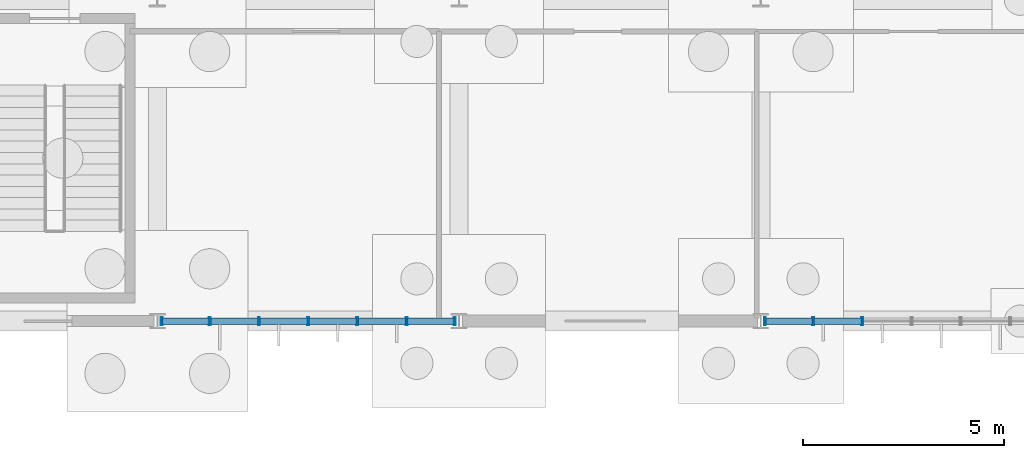
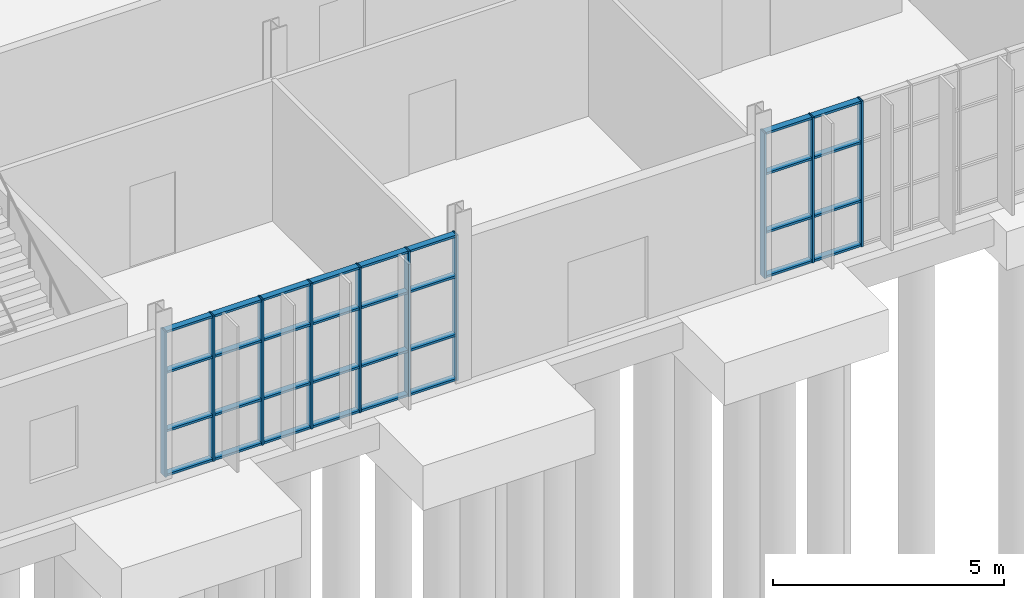
# One storey, part 31 of 136: 42 members, 2 elements without a shape of their own.
"""IFC4 building model written with IfcOpenShell, lengths in metres."""

from ifc_helpers import new_model, si_unit, direction, frame, origin, origin_2d, place, context, subcontext, project, spatial, hollow_rectangle, extrude, material, layer, layer_set, material_profile, profile_set, type_object, element, aggregate, save


model = new_model("IFC4")

# Units and contexts
model_context = context("Model", 3, precision=1e-05, world=origin(), true_north=direction((0.0, 1.0)))
body_context = subcontext(model_context, "Body", "Model", "MODEL_VIEW")
ifc_project = project(units=[si_unit("LENGTHUNIT", "METRE"), si_unit("AREAUNIT", "SQUARE_METRE"), si_unit("VOLUMEUNIT", "CUBIC_METRE"), si_unit("PLANEANGLEUNIT", "RADIAN"), si_unit("MASSUNIT", "GRAM", prefix="KILO")], contexts=[model_context])

# Site, building, storey
site_placement = place(None, origin())
site = spatial("IfcSite", under=ifc_project, at=site_placement, CompositionType="ELEMENT")
building_placement = place(site_placement, origin())
building = spatial("IfcBuilding", under=site, at=building_placement, Name="Solvenia Promenade Tram Depot", CompositionType="ELEMENT")
storey_placement = place(building_placement, origin())
storey = spatial("IfcBuildingStorey", under=building, at=storey_placement, Name="L00", CompositionType="ELEMENT", Elevation=0.0)

# Curtain wall, members
ifc_material = material(Name="Anodized aluminium AW-6063 T6", Category="aluminium")
ifc_layer = layer(ifc_material, 0.179931640625, Name="Anodized aluminium AW-6063 T6", Category="aluminium")
ifc_layer_set = layer_set([ifc_layer], Name="Anodized aluminium AW-6063 T6")
curtain_wall_type = type_object("IfcCurtainWallType", Name="CW-Solar-1250", PredefinedType="NOTDEFINED", material=ifc_layer_set)
curtain_wall_1_placement = place(storey_placement, origin())
curtain_wall_1 = element("IfcCurtainWall", 1, at=curtain_wall_1_placement, inside=storey, type_object=curtain_wall_type, Name="Curtain Wall CW-V4S-L00-05", PredefinedType="NOTDEFINED")
ifc_material_profile_1 = material_profile(ifc_material, hollow_rectangle(XDim=0.199951171875, YDim=0.048095703125, WallThickness=0.00390625, at=origin_2d()), Name="ALU-M3", Category="aluminium")
ifc_profile_set_1 = profile_set([ifc_material_profile_1], Name="Anodized aluminium AW-6063 T6")
member_type_1 = type_object("IfcMemberType", Name="CWM-Mullion-3", PredefinedType="MULLION", material=ifc_profile_set_1)
member_1_placement = place(storey_placement, frame((37.60400390625, 0.0, 0.0), z_axis=(0.0, 0.0, 1.0), x_axis=(0.0, 1.0, 0.0)))
member_1 = element("IfcMember", 2, at=member_1_placement, type_object=member_type_1, Name="CW-6 mullion 1", PredefinedType="MULLION", context=body_context, shape_type="SweptSolid", body=[
    extrude(hollow_rectangle(XDim=0.199951171875, YDim=0.048095703125, WallThickness=0.00390625, at=origin_2d()), origin(), (0.0, 0.0, 1.0), 3.85009765625),
])
member_2_placement = place(storey_placement, frame((38.80322265625, 0.0, 0.0), z_axis=(0.0, 0.0, 1.0), x_axis=(0.0, 1.0, 0.0)))
member_2 = element("IfcMember", 3, at=member_2_placement, type_object=member_type_1, Name="CW-6 mullion 2", PredefinedType="MULLION", context=body_context, shape_type="SweptSolid", body=[
    extrude(hollow_rectangle(XDim=0.199951171875, YDim=0.048095703125, WallThickness=0.00390625, at=origin_2d()), origin(), (0.0, 0.0, 1.0), 3.85009765625),
])
member_3_placement = place(storey_placement, frame((40.026611328125, 0.0, 0.0), z_axis=(0.0, 0.0, 1.0), x_axis=(0.0, 1.0, 0.0)))
member_3 = element("IfcMember", 4, at=member_3_placement, type_object=member_type_1, Name="CW-6 mullion 3", PredefinedType="MULLION", context=body_context, shape_type="SweptSolid", body=[
    extrude(hollow_rectangle(XDim=0.199951171875, YDim=0.048095703125, WallThickness=0.00390625, at=origin_2d()), origin(), (0.0, 0.0, 1.0), 3.85009765625),
])
member_4_placement = place(storey_placement, frame((41.25, 0.0, 0.0), z_axis=(0.0, 0.0, 1.0), x_axis=(0.0, 1.0, 0.0)))
member_4 = element("IfcMember", 5, at=member_4_placement, type_object=member_type_1, Name="CW-6 mullion 4", PredefinedType="MULLION", context=body_context, shape_type="SweptSolid", body=[
    extrude(hollow_rectangle(XDim=0.199951171875, YDim=0.048095703125, WallThickness=0.00390625, at=origin_2d()), origin(), (0.0, 0.0, 1.0), 3.85009765625),
])
member_5_placement = place(storey_placement, frame((42.473388671875, 0.0, 0.0), z_axis=(0.0, 0.0, 1.0), x_axis=(0.0, 1.0, 0.0)))
member_5 = element("IfcMember", 6, at=member_5_placement, type_object=member_type_1, Name="CW-6 mullion 5", PredefinedType="MULLION", context=body_context, shape_type="SweptSolid", body=[
    extrude(hollow_rectangle(XDim=0.199951171875, YDim=0.048095703125, WallThickness=0.00390625, at=origin_2d()), origin(), (0.0, 0.0, 1.0), 3.85009765625),
])
member_6_placement = place(storey_placement, frame((43.69677734375, 0.0, 0.0), z_axis=(0.0, 0.0, 1.0), x_axis=(0.0, 1.0, 0.0)))
member_6 = element("IfcMember", 7, at=member_6_placement, type_object=member_type_1, Name="CW-6 mullion 6", PredefinedType="MULLION", context=body_context, shape_type="SweptSolid", body=[
    extrude(hollow_rectangle(XDim=0.199951171875, YDim=0.048095703125, WallThickness=0.00390625, at=origin_2d()), origin(), (0.0, 0.0, 1.0), 3.85009765625),
])
member_7_placement = place(storey_placement, frame((44.89599609375, 0.0, 0.0), z_axis=(0.0, 0.0, 1.0), x_axis=(0.0, 1.0, 0.0)))
member_7 = element("IfcMember", 8, at=member_7_placement, type_object=member_type_1, Name="CW-6 mullion 7", PredefinedType="MULLION", context=body_context, shape_type="SweptSolid", body=[
    extrude(hollow_rectangle(XDim=0.199951171875, YDim=0.048095703125, WallThickness=0.00390625, at=origin_2d()), origin(), (0.0, 0.0, 1.0), 3.85009765625),
])

curtain_wall_2_placement = place(storey_placement, origin())
curtain_wall_2 = element("IfcCurtainWall", 9, at=curtain_wall_2_placement, inside=storey, type_object=curtain_wall_type, Name="Curtain Wall CW-V4S-L00-07", PredefinedType="NOTDEFINED")
member_8_placement = place(storey_placement, frame((52.60400390625, 0.0, 0.0), z_axis=(0.0, 0.0, 1.0), x_axis=(0.0, 1.0, 0.0)))
member_8 = element("IfcMember", 10, at=member_8_placement, type_object=member_type_1, Name="CW-6 mullion 1", PredefinedType="MULLION", context=body_context, shape_type="SweptSolid", body=[
    extrude(hollow_rectangle(XDim=0.199951171875, YDim=0.048095703125, WallThickness=0.00390625, at=origin_2d()), origin(), (0.0, 0.0, 1.0), 3.85009765625),
])
member_9_placement = place(storey_placement, frame((53.80322265625, 0.0, 0.0), z_axis=(0.0, 0.0, 1.0), x_axis=(0.0, 1.0, 0.0)))
member_9 = element("IfcMember", 11, at=member_9_placement, type_object=member_type_1, Name="CW-6 mullion 2", PredefinedType="MULLION", context=body_context, shape_type="SweptSolid", body=[
    extrude(hollow_rectangle(XDim=0.199951171875, YDim=0.048095703125, WallThickness=0.00390625, at=origin_2d()), origin(), (0.0, 0.0, 1.0), 3.85009765625),
])
member_10_placement = place(storey_placement, frame((55.026611328125, 0.0, 0.0), z_axis=(0.0, 0.0, 1.0), x_axis=(0.0, 1.0, 0.0)))
member_10 = element("IfcMember", 12, at=member_10_placement, type_object=member_type_1, Name="CW-6 mullion 3", PredefinedType="MULLION", context=body_context, shape_type="SweptSolid", body=[
    extrude(hollow_rectangle(XDim=0.199951171875, YDim=0.048095703125, WallThickness=0.00390625, at=origin_2d()), origin(), (0.0, 0.0, 1.0), 3.85009765625),
])

# Member
ifc_material_profile_2 = material_profile(ifc_material, hollow_rectangle(XDim=0.159912109375, YDim=0.05810546875, WallThickness=0.00390625, at=origin_2d()), Name="ALU-T3", Category="aluminium")
ifc_profile_set_2 = profile_set([ifc_material_profile_2], Name="Anodized aluminium AW-6063 T6")
member_type_2 = type_object("IfcMemberType", Name="CWT-Transom-3", PredefinedType="USERDEFINED", material=ifc_profile_set_2)
member_11_placement = place(storey_placement, frame((37.6279296875, 0.0, 0.029052734375), z_axis=(1.0, 0.0, 0.0), x_axis=(0.0, 1.0, 0.0)))
member_11 = element("IfcMember", 13, at=member_11_placement, type_object=member_type_2, Name="CW-6 transom 1.1", ObjectType="TRANSOM", PredefinedType="USERDEFINED", context=body_context, shape_type="SweptSolid", body=[
    extrude(hollow_rectangle(XDim=0.159912109375, YDim=0.05810546875, WallThickness=0.00390625, at=origin_2d()), origin(), (0.0, 0.0, 1.0), 1.1513671875),
])

member_12_placement = place(storey_placement, frame((37.6279296875, 0.0, 1.199951171875), z_axis=(1.0, 0.0, 0.0), x_axis=(0.0, 1.0, 0.0)))
member_12 = element("IfcMember", 14, at=member_12_placement, type_object=member_type_2, Name="CW-6 transom 1.2", ObjectType="TRANSOM", PredefinedType="USERDEFINED", context=body_context, shape_type="SweptSolid", body=[
    extrude(hollow_rectangle(XDim=0.159912109375, YDim=0.05810546875, WallThickness=0.00390625, at=origin_2d()), origin(), (0.0, 0.0, 1.0), 1.1513671875),
])

member_13_placement = place(storey_placement, frame((37.6279296875, 0.0, 2.75), z_axis=(1.0, 0.0, 0.0), x_axis=(0.0, 1.0, 0.0)))
member_13 = element("IfcMember", 15, at=member_13_placement, type_object=member_type_2, Name="CW-6 transom 1.3", ObjectType="TRANSOM", PredefinedType="USERDEFINED", context=body_context, shape_type="SweptSolid", body=[
    extrude(hollow_rectangle(XDim=0.159912109375, YDim=0.05810546875, WallThickness=0.00390625, at=origin_2d()), origin(), (0.0, 0.0, 1.0), 1.1513671875),
])

member_14_placement = place(storey_placement, frame((37.6279296875, 0.0, 3.821044921875), z_axis=(1.0, 0.0, 0.0), x_axis=(0.0, 1.0, 0.0)))
member_14 = element("IfcMember", 16, at=member_14_placement, type_object=member_type_2, Name="CW-6 transom 1.4", ObjectType="TRANSOM", PredefinedType="USERDEFINED", context=body_context, shape_type="SweptSolid", body=[
    extrude(hollow_rectangle(XDim=0.159912109375, YDim=0.05810546875, WallThickness=0.00390625, at=origin_2d()), origin(), (0.0, 0.0, 1.0), 1.1513671875),
])

member_15_placement = place(storey_placement, frame((38.827392578125, 0.0, 0.029052734375), z_axis=(1.0, 0.0, 0.0), x_axis=(0.0, 1.0, 0.0)))
member_15 = element("IfcMember", 17, at=member_15_placement, type_object=member_type_2, Name="CW-6 transom 2.1", ObjectType="TRANSOM", PredefinedType="USERDEFINED", context=body_context, shape_type="SweptSolid", body=[
    extrude(hollow_rectangle(XDim=0.159912109375, YDim=0.05810546875, WallThickness=0.00390625, at=origin_2d()), origin(), (0.0, 0.0, 1.0), 1.17529296875),
])

member_16_placement = place(storey_placement, frame((38.827392578125, 0.0, 1.199951171875), z_axis=(1.0, 0.0, 0.0), x_axis=(0.0, 1.0, 0.0)))
member_16 = element("IfcMember", 18, at=member_16_placement, type_object=member_type_2, Name="CW-6 transom 2.2", ObjectType="TRANSOM", PredefinedType="USERDEFINED", context=body_context, shape_type="SweptSolid", body=[
    extrude(hollow_rectangle(XDim=0.159912109375, YDim=0.05810546875, WallThickness=0.00390625, at=origin_2d()), origin(), (0.0, 0.0, 1.0), 1.17529296875),
])

member_17_placement = place(storey_placement, frame((38.827392578125, 0.0, 2.75), z_axis=(1.0, 0.0, 0.0), x_axis=(0.0, 1.0, 0.0)))
member_17 = element("IfcMember", 19, at=member_17_placement, type_object=member_type_2, Name="CW-6 transom 2.3", ObjectType="TRANSOM", PredefinedType="USERDEFINED", context=body_context, shape_type="SweptSolid", body=[
    extrude(hollow_rectangle(XDim=0.159912109375, YDim=0.05810546875, WallThickness=0.00390625, at=origin_2d()), origin(), (0.0, 0.0, 1.0), 1.17529296875),
])

member_18_placement = place(storey_placement, frame((38.827392578125, 0.0, 3.821044921875), z_axis=(1.0, 0.0, 0.0), x_axis=(0.0, 1.0, 0.0)))
member_18 = element("IfcMember", 20, at=member_18_placement, type_object=member_type_2, Name="CW-6 transom 2.4", ObjectType="TRANSOM", PredefinedType="USERDEFINED", context=body_context, shape_type="SweptSolid", body=[
    extrude(hollow_rectangle(XDim=0.159912109375, YDim=0.05810546875, WallThickness=0.00390625, at=origin_2d()), origin(), (0.0, 0.0, 1.0), 1.17529296875),
])

member_19_placement = place(storey_placement, frame((40.05078125, 0.0, 0.029052734375), z_axis=(1.0, 0.0, 0.0), x_axis=(0.0, 1.0, 0.0)))
member_19 = element("IfcMember", 21, at=member_19_placement, type_object=member_type_2, Name="CW-6 transom 3.1", ObjectType="TRANSOM", PredefinedType="USERDEFINED", context=body_context, shape_type="SweptSolid", body=[
    extrude(hollow_rectangle(XDim=0.159912109375, YDim=0.05810546875, WallThickness=0.00390625, at=origin_2d()), origin(), (0.0, 0.0, 1.0), 1.17529296875),
])

member_20_placement = place(storey_placement, frame((40.05078125, 0.0, 1.199951171875), z_axis=(1.0, 0.0, 0.0), x_axis=(0.0, 1.0, 0.0)))
member_20 = element("IfcMember", 22, at=member_20_placement, type_object=member_type_2, Name="CW-6 transom 3.2", ObjectType="TRANSOM", PredefinedType="USERDEFINED", context=body_context, shape_type="SweptSolid", body=[
    extrude(hollow_rectangle(XDim=0.159912109375, YDim=0.05810546875, WallThickness=0.00390625, at=origin_2d()), origin(), (0.0, 0.0, 1.0), 1.17529296875),
])

member_21_placement = place(storey_placement, frame((40.05078125, 0.0, 2.75), z_axis=(1.0, 0.0, 0.0), x_axis=(0.0, 1.0, 0.0)))
member_21 = element("IfcMember", 23, at=member_21_placement, type_object=member_type_2, Name="CW-6 transom 3.3", ObjectType="TRANSOM", PredefinedType="USERDEFINED", context=body_context, shape_type="SweptSolid", body=[
    extrude(hollow_rectangle(XDim=0.159912109375, YDim=0.05810546875, WallThickness=0.00390625, at=origin_2d()), origin(), (0.0, 0.0, 1.0), 1.17529296875),
])

member_22_placement = place(storey_placement, frame((40.05078125, 0.0, 3.821044921875), z_axis=(1.0, 0.0, 0.0), x_axis=(0.0, 1.0, 0.0)))
member_22 = element("IfcMember", 24, at=member_22_placement, type_object=member_type_2, Name="CW-6 transom 3.4", ObjectType="TRANSOM", PredefinedType="USERDEFINED", context=body_context, shape_type="SweptSolid", body=[
    extrude(hollow_rectangle(XDim=0.159912109375, YDim=0.05810546875, WallThickness=0.00390625, at=origin_2d()), origin(), (0.0, 0.0, 1.0), 1.17529296875),
])

member_23_placement = place(storey_placement, frame((41.27392578125, 0.0, 0.029052734375), z_axis=(1.0, 0.0, 0.0), x_axis=(0.0, 1.0, 0.0)))
member_23 = element("IfcMember", 25, at=member_23_placement, type_object=member_type_2, Name="CW-6 transom 4.1", ObjectType="TRANSOM", PredefinedType="USERDEFINED", context=body_context, shape_type="SweptSolid", body=[
    extrude(hollow_rectangle(XDim=0.159912109375, YDim=0.05810546875, WallThickness=0.00390625, at=origin_2d()), origin(), (0.0, 0.0, 1.0), 1.17529296875),
])

member_24_placement = place(storey_placement, frame((41.27392578125, 0.0, 1.199951171875), z_axis=(1.0, 0.0, 0.0), x_axis=(0.0, 1.0, 0.0)))
member_24 = element("IfcMember", 26, at=member_24_placement, type_object=member_type_2, Name="CW-6 transom 4.2", ObjectType="TRANSOM", PredefinedType="USERDEFINED", context=body_context, shape_type="SweptSolid", body=[
    extrude(hollow_rectangle(XDim=0.159912109375, YDim=0.05810546875, WallThickness=0.00390625, at=origin_2d()), origin(), (0.0, 0.0, 1.0), 1.17529296875),
])

member_25_placement = place(storey_placement, frame((41.27392578125, 0.0, 2.75), z_axis=(1.0, 0.0, 0.0), x_axis=(0.0, 1.0, 0.0)))
member_25 = element("IfcMember", 27, at=member_25_placement, type_object=member_type_2, Name="CW-6 transom 4.3", ObjectType="TRANSOM", PredefinedType="USERDEFINED", context=body_context, shape_type="SweptSolid", body=[
    extrude(hollow_rectangle(XDim=0.159912109375, YDim=0.05810546875, WallThickness=0.00390625, at=origin_2d()), origin(), (0.0, 0.0, 1.0), 1.17529296875),
])

member_26_placement = place(storey_placement, frame((41.27392578125, 0.0, 3.821044921875), z_axis=(1.0, 0.0, 0.0), x_axis=(0.0, 1.0, 0.0)))
member_26 = element("IfcMember", 28, at=member_26_placement, type_object=member_type_2, Name="CW-6 transom 4.4", ObjectType="TRANSOM", PredefinedType="USERDEFINED", context=body_context, shape_type="SweptSolid", body=[
    extrude(hollow_rectangle(XDim=0.159912109375, YDim=0.05810546875, WallThickness=0.00390625, at=origin_2d()), origin(), (0.0, 0.0, 1.0), 1.17529296875),
])

member_27_placement = place(storey_placement, frame((42.497314453125, 0.0, 0.029052734375), z_axis=(1.0, 0.0, 0.0), x_axis=(0.0, 1.0, 0.0)))
member_27 = element("IfcMember", 29, at=member_27_placement, type_object=member_type_2, Name="CW-6 transom 5.1", ObjectType="TRANSOM", PredefinedType="USERDEFINED", context=body_context, shape_type="SweptSolid", body=[
    extrude(hollow_rectangle(XDim=0.159912109375, YDim=0.05810546875, WallThickness=0.00390625, at=origin_2d()), origin(), (0.0, 0.0, 1.0), 1.17529296875),
])

member_28_placement = place(storey_placement, frame((42.497314453125, 0.0, 1.199951171875), z_axis=(1.0, 0.0, 0.0), x_axis=(0.0, 1.0, 0.0)))
member_28 = element("IfcMember", 30, at=member_28_placement, type_object=member_type_2, Name="CW-6 transom 5.2", ObjectType="TRANSOM", PredefinedType="USERDEFINED", context=body_context, shape_type="SweptSolid", body=[
    extrude(hollow_rectangle(XDim=0.159912109375, YDim=0.05810546875, WallThickness=0.00390625, at=origin_2d()), origin(), (0.0, 0.0, 1.0), 1.17529296875),
])

member_29_placement = place(storey_placement, frame((42.497314453125, 0.0, 2.75), z_axis=(1.0, 0.0, 0.0), x_axis=(0.0, 1.0, 0.0)))
member_29 = element("IfcMember", 31, at=member_29_placement, type_object=member_type_2, Name="CW-6 transom 5.3", ObjectType="TRANSOM", PredefinedType="USERDEFINED", context=body_context, shape_type="SweptSolid", body=[
    extrude(hollow_rectangle(XDim=0.159912109375, YDim=0.05810546875, WallThickness=0.00390625, at=origin_2d()), origin(), (0.0, 0.0, 1.0), 1.17529296875),
])

member_30_placement = place(storey_placement, frame((42.497314453125, 0.0, 3.821044921875), z_axis=(1.0, 0.0, 0.0), x_axis=(0.0, 1.0, 0.0)))
member_30 = element("IfcMember", 32, at=member_30_placement, type_object=member_type_2, Name="CW-6 transom 5.4", ObjectType="TRANSOM", PredefinedType="USERDEFINED", context=body_context, shape_type="SweptSolid", body=[
    extrude(hollow_rectangle(XDim=0.159912109375, YDim=0.05810546875, WallThickness=0.00390625, at=origin_2d()), origin(), (0.0, 0.0, 1.0), 1.17529296875),
])

member_31_placement = place(storey_placement, frame((43.720703125, 0.0, 0.029052734375), z_axis=(1.0, 0.0, 0.0), x_axis=(0.0, 1.0, 0.0)))
member_31 = element("IfcMember", 33, at=member_31_placement, type_object=member_type_2, Name="CW-6 transom 6.1", ObjectType="TRANSOM", PredefinedType="USERDEFINED", context=body_context, shape_type="SweptSolid", body=[
    extrude(hollow_rectangle(XDim=0.159912109375, YDim=0.05810546875, WallThickness=0.00390625, at=origin_2d()), origin(), (0.0, 0.0, 1.0), 1.1513671875),
])

member_32_placement = place(storey_placement, frame((43.720703125, 0.0, 1.199951171875), z_axis=(1.0, 0.0, 0.0), x_axis=(0.0, 1.0, 0.0)))
member_32 = element("IfcMember", 34, at=member_32_placement, type_object=member_type_2, Name="CW-6 transom 6.2", ObjectType="TRANSOM", PredefinedType="USERDEFINED", context=body_context, shape_type="SweptSolid", body=[
    extrude(hollow_rectangle(XDim=0.159912109375, YDim=0.05810546875, WallThickness=0.00390625, at=origin_2d()), origin(), (0.0, 0.0, 1.0), 1.1513671875),
])

member_33_placement = place(storey_placement, frame((43.720703125, 0.0, 2.75), z_axis=(1.0, 0.0, 0.0), x_axis=(0.0, 1.0, 0.0)))
member_33 = element("IfcMember", 35, at=member_33_placement, type_object=member_type_2, Name="CW-6 transom 6.3", ObjectType="TRANSOM", PredefinedType="USERDEFINED", context=body_context, shape_type="SweptSolid", body=[
    extrude(hollow_rectangle(XDim=0.159912109375, YDim=0.05810546875, WallThickness=0.00390625, at=origin_2d()), origin(), (0.0, 0.0, 1.0), 1.1513671875),
])

member_34_placement = place(storey_placement, frame((43.720703125, 0.0, 3.821044921875), z_axis=(1.0, 0.0, 0.0), x_axis=(0.0, 1.0, 0.0)))
member_34 = element("IfcMember", 36, at=member_34_placement, type_object=member_type_2, Name="CW-6 transom 6.4", ObjectType="TRANSOM", PredefinedType="USERDEFINED", context=body_context, shape_type="SweptSolid", body=[
    extrude(hollow_rectangle(XDim=0.159912109375, YDim=0.05810546875, WallThickness=0.00390625, at=origin_2d()), origin(), (0.0, 0.0, 1.0), 1.1513671875),
])

aggregate(curtain_wall_1, [member_1, member_2, member_3, member_4, member_5, member_6, member_7, member_11, member_12, member_13, member_14, member_15, member_16, member_17, member_18, member_19, member_20, member_21, member_22, member_23, member_24, member_25, member_26, member_27, member_28, member_29, member_30, member_31, member_32, member_33, member_34])

member_35_placement = place(storey_placement, frame((52.6279296875, 0.0, 0.029052734375), z_axis=(1.0, 0.0, 0.0), x_axis=(0.0, 1.0, 0.0)))
member_35 = element("IfcMember", 37, at=member_35_placement, type_object=member_type_2, Name="CW-6 transom 1.1", ObjectType="TRANSOM", PredefinedType="USERDEFINED", context=body_context, shape_type="SweptSolid", body=[
    extrude(hollow_rectangle(XDim=0.159912109375, YDim=0.05810546875, WallThickness=0.00390625, at=origin_2d()), origin(), (0.0, 0.0, 1.0), 1.1513671875),
])

member_36_placement = place(storey_placement, frame((52.6279296875, 0.0, 1.199951171875), z_axis=(1.0, 0.0, 0.0), x_axis=(0.0, 1.0, 0.0)))
member_36 = element("IfcMember", 38, at=member_36_placement, type_object=member_type_2, Name="CW-6 transom 1.2", ObjectType="TRANSOM", PredefinedType="USERDEFINED", context=body_context, shape_type="SweptSolid", body=[
    extrude(hollow_rectangle(XDim=0.159912109375, YDim=0.05810546875, WallThickness=0.00390625, at=origin_2d()), origin(), (0.0, 0.0, 1.0), 1.1513671875),
])

member_37_placement = place(storey_placement, frame((52.6279296875, 0.0, 2.75), z_axis=(1.0, 0.0, 0.0), x_axis=(0.0, 1.0, 0.0)))
member_37 = element("IfcMember", 39, at=member_37_placement, type_object=member_type_2, Name="CW-6 transom 1.3", ObjectType="TRANSOM", PredefinedType="USERDEFINED", context=body_context, shape_type="SweptSolid", body=[
    extrude(hollow_rectangle(XDim=0.159912109375, YDim=0.05810546875, WallThickness=0.00390625, at=origin_2d()), origin(), (0.0, 0.0, 1.0), 1.1513671875),
])

member_38_placement = place(storey_placement, frame((52.6279296875, 0.0, 3.821044921875), z_axis=(1.0, 0.0, 0.0), x_axis=(0.0, 1.0, 0.0)))
member_38 = element("IfcMember", 40, at=member_38_placement, type_object=member_type_2, Name="CW-6 transom 1.4", ObjectType="TRANSOM", PredefinedType="USERDEFINED", context=body_context, shape_type="SweptSolid", body=[
    extrude(hollow_rectangle(XDim=0.159912109375, YDim=0.05810546875, WallThickness=0.00390625, at=origin_2d()), origin(), (0.0, 0.0, 1.0), 1.1513671875),
])

member_39_placement = place(storey_placement, frame((53.827392578125, 0.0, 0.029052734375), z_axis=(1.0, 0.0, 0.0), x_axis=(0.0, 1.0, 0.0)))
member_39 = element("IfcMember", 41, at=member_39_placement, type_object=member_type_2, Name="CW-6 transom 2.1", ObjectType="TRANSOM", PredefinedType="USERDEFINED", context=body_context, shape_type="SweptSolid", body=[
    extrude(hollow_rectangle(XDim=0.159912109375, YDim=0.05810546875, WallThickness=0.00390625, at=origin_2d()), origin(), (0.0, 0.0, 1.0), 1.17529296875),
])

member_40_placement = place(storey_placement, frame((53.827392578125, 0.0, 1.199951171875), z_axis=(1.0, 0.0, 0.0), x_axis=(0.0, 1.0, 0.0)))
member_40 = element("IfcMember", 42, at=member_40_placement, type_object=member_type_2, Name="CW-6 transom 2.2", ObjectType="TRANSOM", PredefinedType="USERDEFINED", context=body_context, shape_type="SweptSolid", body=[
    extrude(hollow_rectangle(XDim=0.159912109375, YDim=0.05810546875, WallThickness=0.00390625, at=origin_2d()), origin(), (0.0, 0.0, 1.0), 1.17529296875),
])

member_41_placement = place(storey_placement, frame((53.827392578125, 0.0, 2.75), z_axis=(1.0, 0.0, 0.0), x_axis=(0.0, 1.0, 0.0)))
member_41 = element("IfcMember", 43, at=member_41_placement, type_object=member_type_2, Name="CW-6 transom 2.3", ObjectType="TRANSOM", PredefinedType="USERDEFINED", context=body_context, shape_type="SweptSolid", body=[
    extrude(hollow_rectangle(XDim=0.159912109375, YDim=0.05810546875, WallThickness=0.00390625, at=origin_2d()), origin(), (0.0, 0.0, 1.0), 1.17529296875),
])

member_42_placement = place(storey_placement, frame((53.827392578125, 0.0, 3.821044921875), z_axis=(1.0, 0.0, 0.0), x_axis=(0.0, 1.0, 0.0)))
member_42 = element("IfcMember", 44, at=member_42_placement, type_object=member_type_2, Name="CW-6 transom 2.4", ObjectType="TRANSOM", PredefinedType="USERDEFINED", context=body_context, shape_type="SweptSolid", body=[
    extrude(hollow_rectangle(XDim=0.159912109375, YDim=0.05810546875, WallThickness=0.00390625, at=origin_2d()), origin(), (0.0, 0.0, 1.0), 1.17529296875),
])

aggregate(curtain_wall_2, [member_8, member_9, member_10, member_35, member_36, member_37, member_38, member_39, member_40, member_41, member_42])

save(model, "model.ifc")
